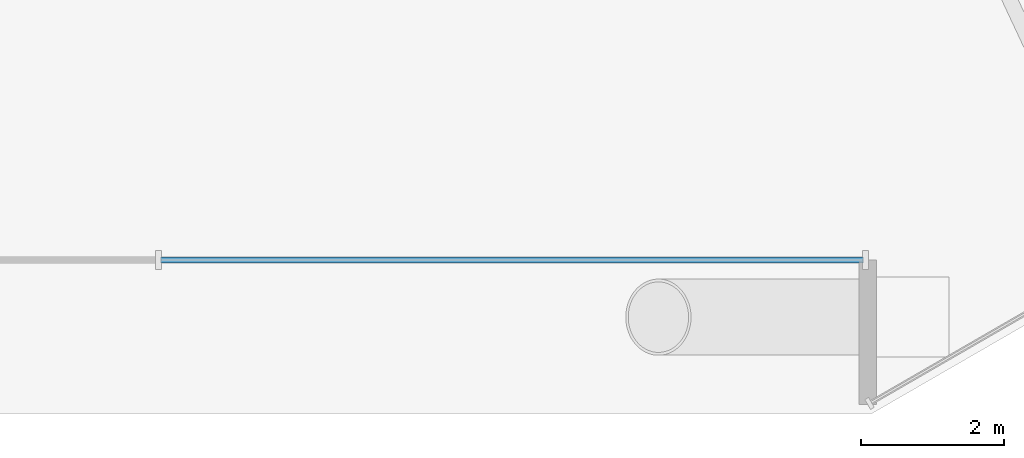
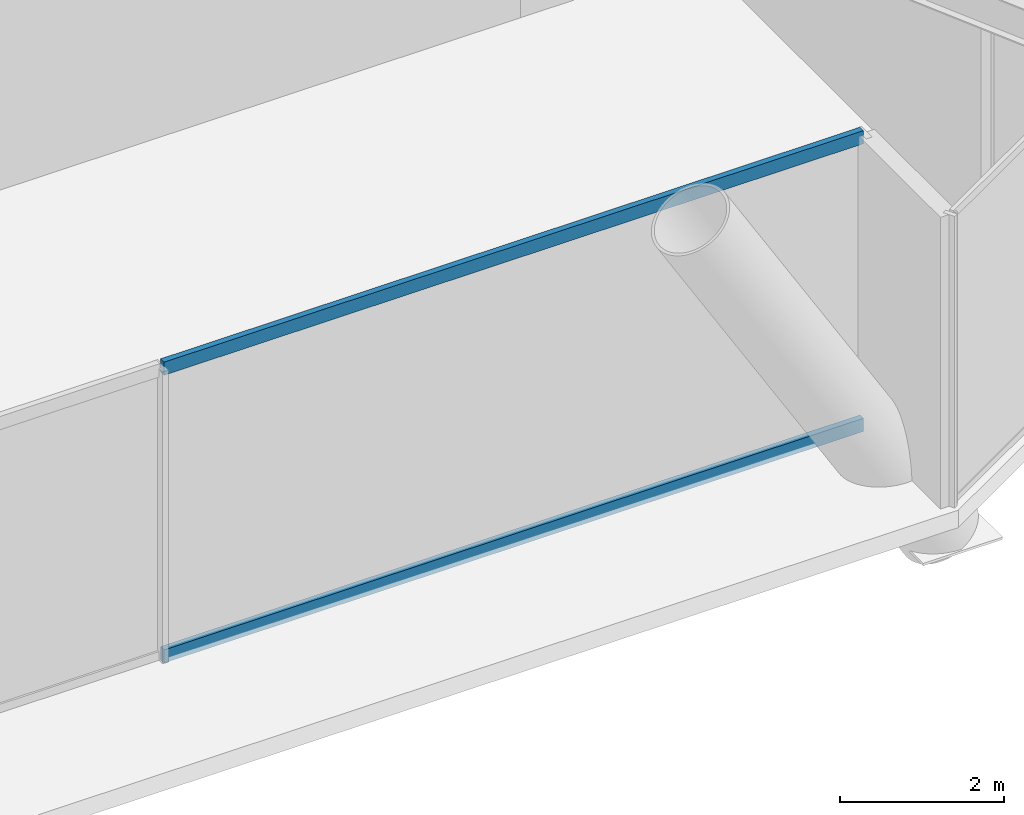
# One storey, part 6 of 23: 2 members, 1 element without a shape of its own.
"""IFC4 building model written with IfcOpenShell, lengths in metres."""

from ifc_helpers import new_model, si_unit, direction, frame, origin, origin_2d, place, context, subcontext, project, spatial, rectangle, extrude, material, layer, layer_set, material_profile, profile_set, type_object, element, aggregate, save


model = new_model("IFC4")

# Units and contexts
model_context = context("Model", 3, precision=1e-05, world=origin(), true_north=direction((0.0, 1.0)))
body_context = subcontext(model_context, "Body", "Model", "MODEL_VIEW")
ifc_project = project(units=[si_unit("LENGTHUNIT", "METRE"), si_unit("AREAUNIT", "SQUARE_METRE"), si_unit("VOLUMEUNIT", "CUBIC_METRE"), si_unit("PLANEANGLEUNIT", "RADIAN"), si_unit("MASSUNIT", "GRAM", prefix="KILO")], contexts=[model_context])

# Site, building, storey
site_placement = place(None, origin())
site = spatial("IfcSite", under=ifc_project, at=site_placement, CompositionType="ELEMENT")
building_placement = place(site_placement, origin())
building = spatial("IfcBuilding", under=site, at=building_placement, Name="Kranzbogen Civic Tower", CompositionType="ELEMENT")
storey_placement = place(building_placement, frame((0.0, 0.0, 9.800048828125)))
storey = spatial("IfcBuildingStorey", under=building, at=storey_placement, Name="L02", CompositionType="ELEMENT", Elevation=9.800048828125)

# Curtain wall, members
ifc_material = material(Name="Pale Anodised Aluminium", Category="aluminium")
ifc_layer = layer(ifc_material, 0.219970703125, Name="Pale Anodised Aluminium")
ifc_layer_set = layer_set([ifc_layer], Name="Pale Anodised Aluminium")
curtain_wall_type = type_object("IfcCurtainWallType", Name="Podium Stick Curtain Wall System CW-01", PredefinedType="USERDEFINED", material=ifc_layer_set)
curtain_wall_placement = place(storey_placement, origin())
curtain_wall = element("IfcCurtainWall", 1, at=curtain_wall_placement, inside=storey, type_object=curtain_wall_type, Name="L02 curtain wall CW-L02-F5", ObjectType="STICK CURTAIN WALL", PredefinedType="USERDEFINED")
ifc_material_profile = material_profile(ifc_material, rectangle(XDim=0.0849609375, YDim=0.195068359375, at=origin_2d()), Name="ALU-T 85x195")
ifc_profile_set = profile_set([ifc_material_profile], Name="Pale Anodised Aluminium")
member_type = type_object("IfcMemberType", Name="Curtain Wall Transom ALU-T 85x195", PredefinedType="USERDEFINED", material=ifc_profile_set)
member_1_placement = place(storey_placement, frame((25.030029296875, 5.35009765625, 0.030029296875), z_axis=(1.0, 0.0, 0.0), x_axis=(0.0, 1.0, 0.0)))
member_1 = element("IfcMember", 2, at=member_1_placement, type_object=member_type, Name="CW-01 transom 2.1", ObjectType="TRANSOM", PredefinedType="USERDEFINED", context=body_context, shape_type="SweptSolid", body=[
    extrude(rectangle(XDim=0.0849609375, YDim=0.195068359375, at=origin_2d()), origin(), (0.0, 0.0, 1.0), 9.840087890625),
])
member_2_placement = place(storey_placement, frame((25.030029296875, 5.35009765625, 4.31005859375), z_axis=(1.0, 0.0, 0.0), x_axis=(0.0, 1.0, 0.0)))
member_2 = element("IfcMember", 3, at=member_2_placement, type_object=member_type, Name="CW-01 transom 2.2", ObjectType="TRANSOM", PredefinedType="USERDEFINED", context=body_context, shape_type="SweptSolid", body=[
    extrude(rectangle(XDim=0.0849609375, YDim=0.195068359375, at=origin_2d()), origin(), (0.0, 0.0, 1.0), 9.840087890625),
])
aggregate(curtain_wall, [member_1, member_2])

save(model, "model.ifc")
